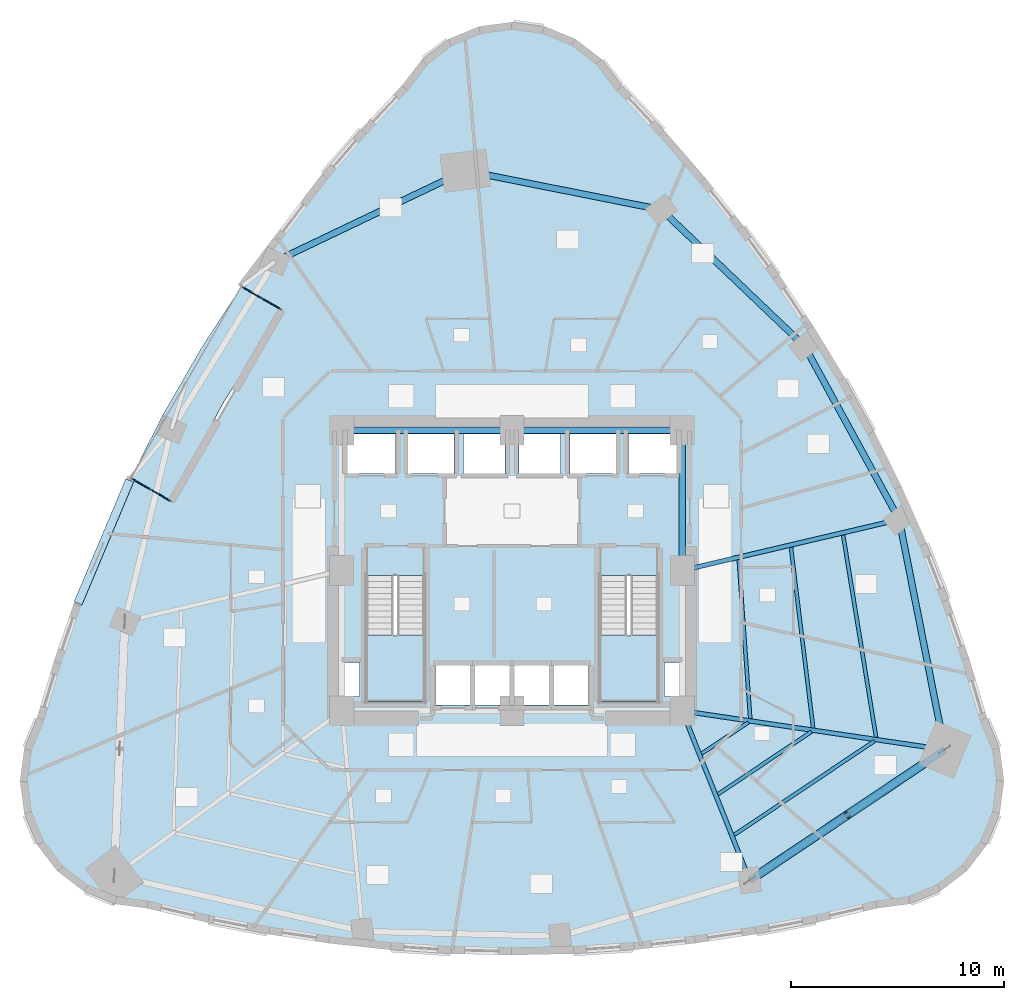
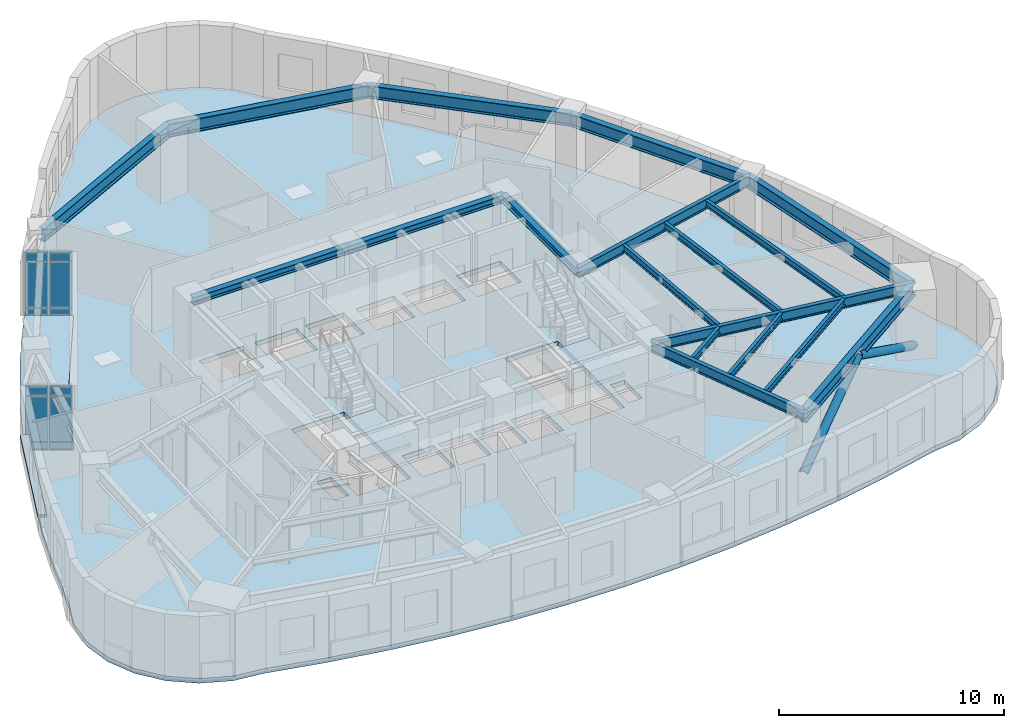
# One storey, part 4 of 13: 18 beams, 13 plates, 4 slabs, 2 members, 4 elements without a shape of their own.
"""IFC4 building model written with IfcOpenShell, lengths in metres."""

import ifcopenshell
import ifcopenshell.guid

model = None  # the IFC model being written
_history = None  # IfcOwnerHistory: only IFC2X3 demands one
_inside = {}  # id of a spatial element -> (the spatial element, [elements in it])
_under = {}  # id of a project, library or spatial element -> (it, [spatial elements below it])
_declared = {}  # id of a project -> (the project, [libraries it declares])
_typed = {}  # id of a type object -> (the type object, [elements of that type])
_made_of = {}  # id of a material, layer set ... -> (it, [elements and type objects made of it])


def new_model(schema):
    """Start an empty IFC model of exactly this schema.

    Asked for "IFC4X3", IfcOpenShell would pick the latest addendum, in which some entities
    have other attributes; the version numbers below select the first issue.
    IFC2X3 requires an IfcOwnerHistory on every rooted entity: one is made here for all.
    """
    global model, _history
    if schema == "IFC4X3":
        model = ifcopenshell.file(schema_version=(4, 3, 0, 0))
    else:
        model = ifcopenshell.file(schema=schema)
    _inside.clear()
    _under.clear()
    _declared.clear()
    _typed.clear()
    _made_of.clear()
    _history = None
    if model.schema == "IFC2X3":
        org = make("IfcOrganization", Name="unknown")
        user = make(
            "IfcPersonAndOrganization",
            ThePerson=make("IfcPerson", FamilyName="unknown"),
            TheOrganization=org,
        )
        app = make(
            "IfcApplication",
            ApplicationDeveloper=org,
            Version="unknown",
            ApplicationFullName="unknown",
            ApplicationIdentifier="unknown",
        )
        _history = make(
            "IfcOwnerHistory",
            OwningUser=user,
            OwningApplication=app,
            ChangeAction="ADDED",
            CreationDate=0,
        )
    return model


def make(cls, **values):
    """One entity of the class cls with the attributes given. An attribute that is None is left unset."""
    return model.create_entity(
        cls, **{name: value for name, value in values.items() if value is not None}
    )


def rooted(cls, **values):
    """An entity with a GlobalId (a new one), such as an element, a storey or a relation."""
    return make(cls, GlobalId=ifcopenshell.guid.new(), OwnerHistory=_history, **values)


def si_unit(unit_type, name, prefix=None):
    """IfcSIUnit, for example si_unit("LENGTHUNIT", "METRE", prefix="MILLI")."""
    return make("IfcSIUnit", UnitType=unit_type, Prefix=prefix, Name=name)


def assignment(units):
    """IfcUnitAssignment: the units of a project."""
    return None if units is None else make("IfcUnitAssignment", Units=units)


def point(xyz):
    """IfcCartesianPoint."""
    return None if xyz is None else make("IfcCartesianPoint", Coordinates=xyz)


def direction(xyz):
    """IfcDirection."""
    return None if xyz is None else make("IfcDirection", DirectionRatios=xyz)


def frame(location, z_axis=None, x_axis=None):
    """IfcAxis2Placement3D, a coordinate frame: its origin and axes. An axis left out is left unset."""
    return make(
        "IfcAxis2Placement3D",
        Location=point(location),
        Axis=direction(z_axis),
        RefDirection=direction(x_axis),
    )


def frame_2d(location, x_axis=None):
    """IfcAxis2Placement2D, a coordinate frame in the plane: its origin and x axis."""
    return make(
        "IfcAxis2Placement2D", Location=point(location), RefDirection=direction(x_axis)
    )


def origin():
    """The frame at (0, 0, 0) with its axes left unset."""
    return frame((0.0, 0.0, 0.0))


def origin_2d():
    """The frame at (0, 0) in the plane with its x axis left unset."""
    return frame_2d((0.0, 0.0))


def place(relative_to, where):
    """IfcLocalPlacement: puts the frame where relative to a parent placement (None: the world)."""
    return make(
        "IfcLocalPlacement", PlacementRelTo=relative_to, RelativePlacement=where
    )


def context(
    kind, dimensions, precision=None, world=None, true_north=None, identifier=None
):
    """IfcGeometricRepresentationContext, for example the 3D "Model" context."""
    return make(
        "IfcGeometricRepresentationContext",
        ContextIdentifier=identifier,
        ContextType=kind,
        CoordinateSpaceDimension=dimensions,
        Precision=precision,
        WorldCoordinateSystem=world,
        TrueNorth=true_north,
    )


def subcontext(parent, identifier, kind, view, scale=None):
    """IfcGeometricRepresentationSubContext, for example "Body" below "Model"."""
    return make(
        "IfcGeometricRepresentationSubContext",
        ContextIdentifier=identifier,
        ContextType=kind,
        ParentContext=parent,
        TargetScale=scale,
        TargetView=view,
    )


def project(units=None, contexts=None):
    """IfcProject with its units and contexts."""
    return rooted(
        "IfcProject",
        Name="project",
        RepresentationContexts=contexts,
        UnitsInContext=assignment(units),
    )


def spatial(cls, under=None, at=None, **own):
    """A site, building, storey or space (cls), placed at a placement, below another one or the project."""
    s = rooted(cls, ObjectPlacement=at, **own)
    if under is not None:
        _under.setdefault(under.id(), (under, []))[1].append(s)
    return s


def polyline(points):
    """IfcPolyline through the points."""
    return make("IfcPolyline", Points=[point(p) for p in points])


def profile(cls, at=None, kind="AREA", **sizes):
    """A parametric profile (cls). Its sizes go by their IFC names, for example OverallWidth=200.0."""
    return make(cls, ProfileType=kind, Position=at, **sizes)


def rectangle(**sizes):
    """IfcRectangleProfileDef."""
    return profile("IfcRectangleProfileDef", **sizes)


def hollow_circle(**sizes):
    """IfcCircleHollowProfileDef."""
    return profile("IfcCircleHollowProfileDef", **sizes)


def i_section(**sizes):
    """IfcIShapeProfileDef."""
    return profile("IfcIShapeProfileDef", **sizes)


def outline(outer, holes=None, kind="AREA"):
    """IfcArbitraryClosedProfileDef: a profile drawn as a closed curve; with holes, ...WithVoids."""
    if holes is None:
        return make("IfcArbitraryClosedProfileDef", ProfileType=kind, OuterCurve=outer)
    return make(
        "IfcArbitraryProfileDefWithVoids",
        ProfileType=kind,
        OuterCurve=outer,
        InnerCurves=holes,
    )


def extrude(swept, where, along, depth):
    """IfcExtrudedAreaSolid: the profile swept, set in the frame where, extruded along a direction by depth."""
    return make(
        "IfcExtrudedAreaSolid",
        SweptArea=swept,
        Position=where,
        ExtrudedDirection=direction(along),
        Depth=depth,
    )


def shape(context_of_items, identifier, shape_type, items):
    """IfcShapeRepresentation: the items that make up one representation, for example the "Body"."""
    return make(
        "IfcShapeRepresentation",
        ContextOfItems=context_of_items,
        RepresentationIdentifier=identifier,
        RepresentationType=shape_type,
        Items=items,
    )


def material(Name=None, Category=None):
    """IfcMaterial."""
    return make("IfcMaterial", Name=Name, Category=Category)


def layer(
    of_material, thickness, ventilated=None, Name=None, Category=None, Priority=None
):
    """IfcMaterialLayer: one layer of a wall or slab, of a material (None: an air gap)."""
    return make(
        "IfcMaterialLayer",
        Material=of_material,
        LayerThickness=thickness,
        IsVentilated=ventilated,
        Name=Name,
        Category=Category,
        Priority=Priority,
    )


def layer_set(layers, Name=None):
    """IfcMaterialLayerSet."""
    return make("IfcMaterialLayerSet", MaterialLayers=layers, LayerSetName=Name)


def material_profile(
    of_material, cross_section, Name=None, Category=None, Priority=None
):
    """IfcMaterialProfile: a cross section and its material."""
    return make(
        "IfcMaterialProfile",
        Name=Name,
        Material=of_material,
        Profile=cross_section,
        Priority=Priority,
        Category=Category,
    )


def profile_set(profiles, Name=None, composite=None):
    """IfcMaterialProfileSet."""
    return make(
        "IfcMaterialProfileSet",
        Name=Name,
        MaterialProfiles=profiles,
        CompositeProfile=composite,
    )


def made_of(thing, what):
    """Note that an element or type object is made of a material, layer set ...; save() writes the relation."""
    if what is not None:
        _made_of.setdefault(what.id(), (what, []))[1].append(thing)
    return thing


def type_object(cls, material=None, **own):
    """A type object (cls), such as IfcWallType, which elements share."""
    return made_of(rooted(cls, **own), material)


def element(
    cls,
    number,
    at=None,
    inside=None,
    cuts=None,
    type_object=None,
    material=None,
    context=None,
    identifier="Body",
    shape_type=None,
    held_by="IfcProductDefinitionShape",
    body=None,
    shapes=None,
    **own,
):
    """One element of the class cls, such as IfcWall. Its Tag is "e" and its number.

    at: its placement. inside: the storey or other place that contains it. cuts: it is an
    opening in that element (IfcRelVoidsElement). A single representation is given by context,
    identifier, shape_type and body (its items); several are given by shapes. held_by: the class
    of the entity that holds the representations. save() writes the other relations.
    """
    e = rooted(cls, Tag="e%d" % number, ObjectPlacement=at, **own)
    if body is not None:
        shapes = [shape(context, identifier, shape_type, body)]
    if shapes is not None:
        e.Representation = make(held_by, Representations=shapes)
    if inside is not None:
        _inside.setdefault(inside.id(), (inside, []))[1].append(e)
    if cuts is not None:
        rooted(
            "IfcRelVoidsElement", RelatingBuildingElement=cuts, RelatedOpeningElement=e
        )
    if type_object is not None:
        _typed.setdefault(type_object.id(), (type_object, []))[1].append(e)
    return made_of(e, material)


def aggregate(whole, parts):
    """IfcRelAggregates: a whole, such as a stair, and the parts it consists of."""
    return rooted("IfcRelAggregates", RelatingObject=whole, RelatedObjects=parts)


def save(model, path):
    """Write the relations noted so far, then the file.

    IfcRelAggregates (storeys below a building ...), IfcRelContainedInSpatialStructure (elements
    in a storey), IfcRelDefinesByType, IfcRelAssociatesMaterial and IfcRelDeclares: one each for
    every whole, place, type object, material and project.
    """
    for whole, parts in _under.values():
        aggregate(whole, parts)
    for where, things in _inside.values():
        rooted(
            "IfcRelContainedInSpatialStructure",
            RelatedElements=things,
            RelatingStructure=where,
        )
    for kind, things in _typed.values():
        rooted("IfcRelDefinesByType", RelatedObjects=things, RelatingType=kind)
    for what, things in _made_of.values():
        rooted("IfcRelAssociatesMaterial", RelatedObjects=things, RelatingMaterial=what)
    for by, libraries in _declared.values():
        rooted("IfcRelDeclares", RelatingContext=by, RelatedDefinitions=libraries)
    model.write(path)


model = new_model("IFC4")

# Units and contexts
model_context = context("Model", 3, precision=1e-05, world=origin(), true_north=direction((0.0, 1.0)))
body_context = subcontext(model_context, "Body", "Model", "MODEL_VIEW")
ifc_project = project(units=[si_unit("LENGTHUNIT", "METRE"), si_unit("AREAUNIT", "SQUARE_METRE"), si_unit("VOLUMEUNIT", "CUBIC_METRE"), si_unit("PLANEANGLEUNIT", "RADIAN"), si_unit("MASSUNIT", "GRAM", prefix="KILO")], contexts=[model_context])

# Site, building, storey
site_placement = place(None, origin())
site = spatial("IfcSite", under=ifc_project, at=site_placement, CompositionType="ELEMENT")
building_placement = place(site_placement, origin())
building = spatial("IfcBuilding", under=site, at=building_placement, Name="Ndelora Gate Hotel", CompositionType="ELEMENT")
storey_placement = place(building_placement, frame((0.0, 0.0, 34.25)))
storey = spatial("IfcBuildingStorey", under=building, at=storey_placement, Name="L07", CompositionType="ELEMENT", Elevation=34.25)

# Beams
ifc_material_1 = material(Name="Steel S355", Category="steel")
ifc_material_profile_1 = material_profile(ifc_material_1, i_section(OverallWidth=0.300048828125, OverallDepth=0.39990234375, WebThickness=0.013427734375, FlangeThickness=0.02392578125, FilletRadius=0.027099609375, at=origin_2d()), Name="HEB 400")
ifc_profile_set_1 = profile_set([ifc_material_profile_1], Name="Steel S355")
beam_type_1 = type_object("IfcBeamType", Name="BM-CORE-400", PredefinedType="BEAM", material=ifc_profile_set_1)
for number, where, z_axis, x_axis, name in (
    (1, (-8.0, 6.60009765625, 3.300048828125), (1.0, 0.0, 0.0), (0.0, 1.0, 0.0), "L07 Core Tie Girder CC7-CC6"),
    (2, (0.0, 6.60009765625, 3.300048828125), (1.0, 0.0, 0.0), (0.0, 1.0, 0.0), "L07 Core Tie Girder CC6-CC5"),
):
    element("IfcBeam", number, at=place(storey_placement, frame(where, z_axis=z_axis, x_axis=x_axis)), inside=storey, type_object=beam_type_1, Name=name, PredefinedType="BEAM", context=body_context, shape_type="SweptSolid", body=[
        extrude(i_section(OverallWidth=0.300048828125, OverallDepth=0.39990234375, WebThickness=0.013427734375, FlangeThickness=0.02392578125, FilletRadius=0.027099609375, at=origin_2d()), origin(), (0.0, 0.0, 1.0), 8.0),
    ])
beam_1_placement = place(storey_placement, frame((8.0, 0.0, 3.300048828125), z_axis=(0.0, 1.0, 0.0), x_axis=(-1.0, 0.0, 0.0)))
element("IfcBeam", 3, at=beam_1_placement, inside=storey, type_object=beam_type_1, Name="L07 Core Tie Girder CC4-CC5", PredefinedType="BEAM", context=body_context, shape_type="SweptSolid", body=[
    extrude(i_section(OverallWidth=0.300048828125, OverallDepth=0.39990234375, WebThickness=0.013427734375, FlangeThickness=0.02392578125, FilletRadius=0.027099609375, at=origin_2d()), origin(), (0.0, 0.0, 1.0), 6.60009765625),
])
ifc_material_profile_2 = material_profile(ifc_material_1, i_section(OverallWidth=0.169921875, OverallDepth=0.360107421875, WebThickness=0.008056640625, FlangeThickness=0.0126953125, FilletRadius=0.01806640625, at=origin_2d()), Name="IPE 360")
ifc_profile_set_2 = profile_set([ifc_material_profile_2], Name="Steel S355")
beam_type_2 = type_object("IfcBeamType", Name="BM-JST-360", PredefinedType="JOIST", material=ifc_profile_set_2)
beam_2_placement = place(storey_placement, frame((8.922119140625, -8.608154296875, 3.320068359375), z_axis=(0.830952990267, 0.556342635402, 0.0), x_axis=(-0.556342635402, 0.830952990267, 0.0)))
element("IfcBeam", 4, at=beam_2_placement, inside=storey, type_object=beam_type_2, Name="L07 Secondary Composite Floor Joist IN-8", PredefinedType="JOIST", context=body_context, shape_type="SweptSolid", body=[
    extrude(i_section(OverallWidth=0.169921875, OverallDepth=0.360107421875, WebThickness=0.008056640625, FlangeThickness=0.0126953125, FilletRadius=0.01806640625, at=origin_2d()), origin(), (0.0, 0.0, 1.0), 2.6396484375),
])
beam_3_placement = place(storey_placement, frame((9.685302734375, -10.520751953125, 3.320068359375), z_axis=(0.83093347578, 0.556371781121, 0.0), x_axis=(-0.556371781121, 0.83093347578, 0.0)))
element("IfcBeam", 5, at=beam_3_placement, inside=storey, type_object=beam_type_2, Name="L07 Secondary Composite Floor Joist MID-8", PredefinedType="JOIST", context=body_context, shape_type="SweptSolid", body=[
    extrude(i_section(OverallWidth=0.169921875, OverallDepth=0.360107421875, WebThickness=0.008056640625, FlangeThickness=0.0126953125, FilletRadius=0.01806640625, at=origin_2d()), origin(), (0.0, 0.0, 1.0), 5.2880859375),
])
beam_4_placement = place(storey_placement, frame((10.448486328125, -12.433349609375, 3.320068359375), z_axis=(0.830936507521, 0.556367253231, 0.0), x_axis=(-0.556367253231, 0.830936507521, 0.0)))
element("IfcBeam", 6, at=beam_4_placement, inside=storey, type_object=beam_type_2, Name="L07 Secondary Composite Floor Joist OUT-8", PredefinedType="JOIST", context=body_context, shape_type="SweptSolid", body=[
    extrude(i_section(OverallWidth=0.169921875, OverallDepth=0.360107421875, WebThickness=0.008056640625, FlangeThickness=0.0126953125, FilletRadius=0.01806640625, at=origin_2d()), origin(), (0.0, 0.0, 1.0), 7.936767578125),
])
beam_5_placement = place(storey_placement, frame((11.20263671875, -6.9609375, 3.320068359375), z_axis=(-0.072176031603, 0.997391909162, 0.0), x_axis=(-0.997391909162, -0.072176031603, 0.0)))
element("IfcBeam", 7, at=beam_5_placement, inside=storey, type_object=beam_type_2, Name="L07 Secondary Composite Floor Joist IN-9", PredefinedType="JOIST", context=body_context, shape_type="SweptSolid", body=[
    extrude(i_section(OverallWidth=0.169921875, OverallDepth=0.360107421875, WebThickness=0.008056640625, FlangeThickness=0.0126953125, FilletRadius=0.01806640625, at=origin_2d()), origin(), (0.0, 0.0, 1.0), 7.489013671875),
])
beam_6_placement = place(storey_placement, frame((14.160888671875, -7.400390625, 3.320068359375), z_axis=(-0.122030984704, 0.992526291225, 0.0), x_axis=(-0.992526291225, -0.122030984704, 0.0)))
element("IfcBeam", 8, at=beam_6_placement, inside=storey, type_object=beam_type_2, Name="L07 Secondary Composite Floor Joist MID-9", PredefinedType="JOIST", context=body_context, shape_type="SweptSolid", body=[
    extrude(i_section(OverallWidth=0.169921875, OverallDepth=0.360107421875, WebThickness=0.008056640625, FlangeThickness=0.0126953125, FilletRadius=0.01806640625, at=origin_2d()), origin(), (0.0, 0.0, 1.0), 8.548828125),
])
beam_7_placement = place(storey_placement, frame((17.12060546875, -7.840087890625, 3.320068359375), z_axis=(-0.160901992796, 0.986970388975, 0.0), x_axis=(-0.986970388975, -0.160901992796, 0.0)))
element("IfcBeam", 9, at=beam_7_placement, inside=storey, type_object=beam_type_2, Name="L07 Secondary Composite Floor Joist OUT-9", PredefinedType="JOIST", context=body_context, shape_type="SweptSolid", body=[
    extrude(i_section(OverallWidth=0.169921875, OverallDepth=0.360107421875, WebThickness=0.008056640625, FlangeThickness=0.0126953125, FilletRadius=0.01806640625, at=origin_2d()), origin(), (0.0, 0.0, 1.0), 9.6259765625),
])
ifc_material_profile_3 = material_profile(ifc_material_1, i_section(OverallWidth=0.2099609375, OverallDepth=0.550048828125, WebThickness=0.010986328125, FlangeThickness=0.01708984375, FilletRadius=0.02392578125, at=origin_2d()), Name="IPE 550")
ifc_profile_set_3 = profile_set([ifc_material_profile_3], Name="Steel S355")
beam_type_3 = type_object("IfcBeamType", Name="BM-RAD-550", PredefinedType="BEAM", material=ifc_profile_set_3)
beam_8_placement = place(storey_placement, frame((8.0, -6.60009765625, 3.22509765625), z_axis=(0.37056142644, -0.92880796144, 0.0), x_axis=(0.92880796144, 0.37056142644, 0.0)))
element("IfcBeam", 10, at=beam_8_placement, inside=storey, type_object=beam_type_3, Name="L07 Radial Floor Girder 8", PredefinedType="BEAM", context=body_context, shape_type="SweptSolid", body=[
    extrude(i_section(OverallWidth=0.2099609375, OverallDepth=0.550048828125, WebThickness=0.010986328125, FlangeThickness=0.01708984375, FilletRadius=0.02392578125, at=origin_2d()), origin(), (0.0, 0.0, 1.0), 8.580078125),
])
beam_9_placement = place(storey_placement, frame((8.0, -6.60009765625, 3.22509765625), z_axis=(0.989209761041, -0.146506138649, 0.0), x_axis=(0.146506138649, 0.989209761041, 0.0)))
element("IfcBeam", 11, at=beam_9_placement, inside=storey, type_object=beam_type_3, Name="L07 Radial Floor Girder 9", PredefinedType="BEAM", context=body_context, shape_type="SweptSolid", body=[
    extrude(i_section(OverallWidth=0.2099609375, OverallDepth=0.550048828125, WebThickness=0.010986328125, FlangeThickness=0.01708984375, FilletRadius=0.02392578125, at=origin_2d()), origin(), (0.0, 0.0, 1.0), 12.48486328125),
])
beam_10_placement = place(storey_placement, frame((8.0, 0.0, 3.22509765625), z_axis=(0.973517848051, 0.22861102232, 0.0), x_axis=(-0.22861102232, 0.973517848051, 0.0)))
element("IfcBeam", 12, at=beam_10_placement, inside=storey, type_object=beam_type_3, Name="L07 Radial Floor Girder 10", PredefinedType="BEAM", context=body_context, shape_type="SweptSolid", body=[
    extrude(i_section(OverallWidth=0.2099609375, OverallDepth=0.550048828125, WebThickness=0.010986328125, FlangeThickness=0.01708984375, FilletRadius=0.02392578125, at=origin_2d()), origin(), (0.0, 0.0, 1.0), 10.48486328125),
])
ifc_material_profile_4 = material_profile(ifc_material_1, i_section(OverallWidth=0.300048828125, OverallDepth=0.699951171875, WebThickness=0.01708984375, FlangeThickness=0.031982421875, FilletRadius=0.027099609375, at=origin_2d()), Name="HEB 700")
ifc_profile_set_4 = profile_set([ifc_material_profile_4], Name="Steel S355")
beam_type_4 = type_object("IfcBeamType", Name="BM-RING-700", PredefinedType="SPANDREL", material=ifc_profile_set_4)
beam_11_placement = place(storey_placement, frame((-2.199951171875, 18.800048828125, 3.14990234375), z_axis=(-0.902476034566, -0.43074006899, 0.0), x_axis=(0.43074006899, -0.902476034566, 0.0)))
element("IfcBeam", 13, at=beam_11_placement, inside=storey, type_object=beam_type_4, Name="L07 Perimeter Spandrel Girder 1", PredefinedType="SPANDREL", context=body_context, shape_type="SweptSolid", body=[
    extrude(i_section(OverallWidth=0.300048828125, OverallDepth=0.699951171875, WebThickness=0.01708984375, FlangeThickness=0.031982421875, FilletRadius=0.027099609375, at=origin_2d()), origin(), (0.0, 0.0, 1.0), 9.91552734375),
])
beam_12_placement = place(storey_placement, frame((11.179443359375, -14.5693359375, 3.14990234375), z_axis=(0.830945983886, 0.556353099985, 0.0), x_axis=(-0.556353099985, 0.830945983886, 0.0)))
element("IfcBeam", 14, at=beam_12_placement, inside=storey, type_object=beam_type_4, Name="L07 Perimeter Spandrel Girder 8", PredefinedType="SPANDREL", context=body_context, shape_type="SweptSolid", body=[
    extrude(i_section(OverallWidth=0.300048828125, OverallDepth=0.699951171875, WebThickness=0.01708984375, FlangeThickness=0.031982421875, FilletRadius=0.027099609375, at=origin_2d()), origin(), (0.0, 0.0, 1.0), 11.036376953125),
])
beam_13_placement = place(storey_placement, frame((20.35009765625, -8.42919921875, 3.14990234375), z_axis=(-0.194163071691, 0.980969266385, 0.0), x_axis=(-0.980969266385, -0.194163071691, 0.0)))
element("IfcBeam", 15, at=beam_13_placement, inside=storey, type_object=beam_type_4, Name="L07 Perimeter Spandrel Girder 9", PredefinedType="SPANDREL", context=body_context, shape_type="SweptSolid", body=[
    extrude(i_section(OverallWidth=0.300048828125, OverallDepth=0.699951171875, WebThickness=0.01708984375, FlangeThickness=0.031982421875, FilletRadius=0.027099609375, at=origin_2d()), origin(), (0.0, 0.0, 1.0), 11.0361328125),
])
for number, where, z_axis, x_axis, name in (
    (16, (18.207275390625, 2.39697265625, 3.14990234375), (-0.479203651005, 0.87770374322, 0.0), (-0.87770374322, -0.479203651005, 0.0), "L07 Perimeter Spandrel Girder 10"),
    (17, (13.75390625, 10.5537109375, 3.14990234375), (-0.723784227769, 0.690026370244, 0.0), (-0.690026370244, -0.723784227769, 0.0), "L07 Perimeter Spandrel Girder 11"),
):
    element("IfcBeam", number, at=place(storey_placement, frame(where, z_axis=z_axis, x_axis=x_axis)), inside=storey, type_object=beam_type_4, Name=name, PredefinedType="SPANDREL", context=body_context, shape_type="SweptSolid", body=[
        extrude(i_section(OverallWidth=0.300048828125, OverallDepth=0.699951171875, WebThickness=0.01708984375, FlangeThickness=0.031982421875, FilletRadius=0.027099609375, at=origin_2d()), origin(), (0.0, 0.0, 1.0), 9.293212890625),
    ])
beam_14_placement = place(storey_placement, frame((7.027587890625, 16.96630859375, 3.14990234375), z_axis=(-0.980820478164, 0.194913287424, 0.0), x_axis=(-0.194913287424, -0.980820478164, 0.0)))
element("IfcBeam", 18, at=beam_14_placement, inside=storey, type_object=beam_type_4, Name="L07 Perimeter Spandrel Girder 12", PredefinedType="SPANDREL", context=body_context, shape_type="SweptSolid", body=[
    extrude(i_section(OverallWidth=0.300048828125, OverallDepth=0.699951171875, WebThickness=0.01708984375, FlangeThickness=0.031982421875, FilletRadius=0.027099609375, at=origin_2d()), origin(), (0.0, 0.0, 1.0), 9.407958984375),
])

# Members
ifc_material_profile_5 = material_profile(ifc_material_1, hollow_circle(Radius=0.202880859375, WallThickness=0.02001953125, at=origin_2d()), Name="CHS 406x20")
ifc_profile_set_5 = profile_set([ifc_material_profile_5], Name="Steel S355")
member_type = type_object("IfcMemberType", Name="MB-TUBE-406", PredefinedType="BRACE", material=ifc_profile_set_5)
for number, where, z_axis, x_axis, name in (
    (19, (11.179443359375, -14.5693359375, 0.02001953125), (0.73391932444, 0.491376610842, 0.468947173496), (-0.556342873424, 0.830952830906, 0.0), "L07 Perimeter Braced-Tube Diagonal 8A"),
    (20, (20.35009765625, -8.42919921875, 0.02001953125), (-0.733901295617, -0.491390702965, 0.468960622368), (0.556363326838, -0.830939136489, 0.0), "L07 Perimeter Braced-Tube Diagonal 8B"),
):
    element("IfcMember", number, at=place(storey_placement, frame(where, z_axis=z_axis, x_axis=x_axis)), inside=storey, type_object=member_type, Name=name, PredefinedType="BRACE", context=body_context, shape_type="SweptSolid", body=[
        extrude(hollow_circle(Radius=0.202880859375, WallThickness=0.02001953125, at=origin_2d()), origin(), (0.0, 0.0, 1.0), 6.247802734375),
    ])

# Curtain wall, plates
ifc_material_2 = material(Name="Bronze Anodised Unitised Aluminium and Low-E Glass", Category="aluminium")
ifc_layer_1 = layer(ifc_material_2, 0.199951171875)
ifc_layer_set_1 = layer_set([ifc_layer_1], Name="Bronze Anodised Unitised Aluminium and Low-E Glass")
curtain_wall_type = type_object("IfcCurtainWallType", Name="CW-SYS-3", PredefinedType="NOTDEFINED", material=ifc_layer_set_1)
curtain_wall_1_placement = place(storey_placement, origin())
curtain_wall_1 = element("IfcCurtainWall", 21, at=curtain_wall_1_placement, inside=storey, type_object=curtain_wall_type, Name="L07 Sky-Garden Loggia Side Curtain Wall CW3-1", PredefinedType="NOTDEFINED")
ifc_material_3 = material(Name="Solar-Control Low-E Insulated Glazing", Category="glass")
ifc_layer_2 = layer(ifc_material_3, 0.048095703125)
ifc_layer_set_2 = layer_set([ifc_layer_2], Name="Solar-Control Low-E Insulated Glazing")
plate_type_1 = type_object("IfcPlateType", Name="PL-CW-GLZ36", PredefinedType="CURTAIN_PANEL", material=ifc_layer_set_2)
plate_1_placement = place(storey_placement, frame((-11.315185546875, 12.537353515625, 0.05908203125), z_axis=(0.0, 0.0, 1.0), x_axis=(-0.866030416344, 0.499991317892, 0.0)))
plate_1 = element("IfcPlate", 22, at=plate_1_placement, type_object=plate_type_1, Name="CW3 panel 1.1", PredefinedType="CURTAIN_PANEL", context=body_context, shape_type="SweptSolid", body=[
    extrude(rectangle(XDim=1.014404296875, YDim=0.048095703125, at=origin_2d()), origin(), (0.0, 0.0, 1.0), 0.364501953125),
])
plate_2_placement = place(storey_placement, frame((-11.315185546875, 12.537353515625, 0.4765625), z_axis=(0.0, 0.0, 1.0), x_axis=(-0.866030416344, 0.499991317892, 0.0)))
plate_2 = element("IfcPlate", 23, at=plate_2_placement, type_object=plate_type_1, Name="CW3 panel 1.2", PredefinedType="CURTAIN_PANEL", context=body_context, shape_type="SweptSolid", body=[
    extrude(rectangle(XDim=1.014404296875, YDim=0.048095703125, at=origin_2d()), origin(), (0.0, 0.0, 1.0), 2.447021484375),
])
plate_3_placement = place(storey_placement, frame((-11.315185546875, 12.537353515625, 2.9765625), z_axis=(0.0, 0.0, 1.0), x_axis=(-0.866030416344, 0.499991317892, 0.0)))
plate_3 = element("IfcPlate", 24, at=plate_3_placement, type_object=plate_type_1, Name="CW3 panel 1.3", PredefinedType="CURTAIN_PANEL", context=body_context, shape_type="SweptSolid", body=[
    extrude(rectangle(XDim=1.014404296875, YDim=0.048095703125, at=origin_2d()), origin(), (0.0, 0.0, 1.0), 0.464599609375),
])
plate_4_placement = place(storey_placement, frame((-12.23974609375, 13.071044921875, 0.05908203125), z_axis=(0.0, 0.0, 1.0), x_axis=(-0.866030416344, 0.499991317892, 0.0)))
plate_4 = element("IfcPlate", 25, at=plate_4_placement, type_object=plate_type_1, Name="CW3 panel 2.1", PredefinedType="CURTAIN_PANEL", context=body_context, shape_type="SweptSolid", body=[
    extrude(rectangle(XDim=1.014404296875, YDim=0.048095703125, at=origin_2d()), origin(), (0.0, 0.0, 1.0), 0.364501953125),
])
plate_5_placement = place(storey_placement, frame((-12.23974609375, 13.071044921875, 0.4765625), z_axis=(0.0, 0.0, 1.0), x_axis=(-0.866030416344, 0.499991317892, 0.0)))
plate_5 = element("IfcPlate", 26, at=plate_5_placement, type_object=plate_type_1, Name="CW3 panel 2.2", PredefinedType="CURTAIN_PANEL", context=body_context, shape_type="SweptSolid", body=[
    extrude(rectangle(XDim=1.014404296875, YDim=0.048095703125, at=origin_2d()), origin(), (0.0, 0.0, 1.0), 2.447021484375),
])
plate_6_placement = place(storey_placement, frame((-12.23974609375, 13.071044921875, 2.9765625), z_axis=(0.0, 0.0, 1.0), x_axis=(-0.866030416344, 0.499991317892, 0.0)))
plate_6 = element("IfcPlate", 27, at=plate_6_placement, type_object=plate_type_1, Name="CW3 panel 2.3", PredefinedType="CURTAIN_PANEL", context=body_context, shape_type="SweptSolid", body=[
    extrude(rectangle(XDim=1.014404296875, YDim=0.048095703125, at=origin_2d()), origin(), (0.0, 0.0, 1.0), 0.464599609375),
])
aggregate(curtain_wall_1, [plate_1, plate_2, plate_3, plate_4, plate_5, plate_6])

curtain_wall_2_placement = place(storey_placement, origin())
curtain_wall_2 = element("IfcCurtainWall", 28, at=curtain_wall_2_placement, inside=storey, type_object=curtain_wall_type, Name="L07 Sky-Garden Loggia Side Curtain Wall CW3-2", PredefinedType="NOTDEFINED")
plate_7_placement = place(storey_placement, frame((-17.439697265625, 4.064453125, 0.05908203125), z_axis=(0.0, 0.0, 1.0), x_axis=(0.866030416344, -0.499991317892, 0.0)))
plate_7 = element("IfcPlate", 29, at=plate_7_placement, type_object=plate_type_1, Name="CW3 panel 1.1", PredefinedType="CURTAIN_PANEL", context=body_context, shape_type="SweptSolid", body=[
    extrude(rectangle(XDim=1.014404296875, YDim=0.048095703125, at=origin_2d()), origin(), (0.0, 0.0, 1.0), 0.364501953125),
])
plate_8_placement = place(storey_placement, frame((-17.439697265625, 4.064453125, 0.4765625), z_axis=(0.0, 0.0, 1.0), x_axis=(0.866030416344, -0.499991317892, 0.0)))
plate_8 = element("IfcPlate", 30, at=plate_8_placement, type_object=plate_type_1, Name="CW3 panel 1.2", PredefinedType="CURTAIN_PANEL", context=body_context, shape_type="SweptSolid", body=[
    extrude(rectangle(XDim=1.014404296875, YDim=0.048095703125, at=origin_2d()), origin(), (0.0, 0.0, 1.0), 2.447021484375),
])
plate_9_placement = place(storey_placement, frame((-17.439697265625, 4.064453125, 2.9765625), z_axis=(0.0, 0.0, 1.0), x_axis=(0.866030416344, -0.499991317892, 0.0)))
plate_9 = element("IfcPlate", 31, at=plate_9_placement, type_object=plate_type_1, Name="CW3 panel 1.3", PredefinedType="CURTAIN_PANEL", context=body_context, shape_type="SweptSolid", body=[
    extrude(rectangle(XDim=1.014404296875, YDim=0.048095703125, at=origin_2d()), origin(), (0.0, 0.0, 1.0), 0.464599609375),
])
plate_10_placement = place(storey_placement, frame((-16.515380859375, 3.53076171875, 0.05908203125), z_axis=(0.0, 0.0, 1.0), x_axis=(0.866030416344, -0.499991317892, 0.0)))
plate_10 = element("IfcPlate", 32, at=plate_10_placement, type_object=plate_type_1, Name="CW3 panel 2.1", PredefinedType="CURTAIN_PANEL", context=body_context, shape_type="SweptSolid", body=[
    extrude(rectangle(XDim=1.014404296875, YDim=0.048095703125, at=origin_2d()), origin(), (0.0, 0.0, 1.0), 0.364501953125),
])
plate_11_placement = place(storey_placement, frame((-16.515380859375, 3.53076171875, 0.4765625), z_axis=(0.0, 0.0, 1.0), x_axis=(0.866030416344, -0.499991317892, 0.0)))
plate_11 = element("IfcPlate", 33, at=plate_11_placement, type_object=plate_type_1, Name="CW3 panel 2.2", PredefinedType="CURTAIN_PANEL", context=body_context, shape_type="SweptSolid", body=[
    extrude(rectangle(XDim=1.014404296875, YDim=0.048095703125, at=origin_2d()), origin(), (0.0, 0.0, 1.0), 2.447021484375),
])
plate_12_placement = place(storey_placement, frame((-16.515380859375, 3.53076171875, 2.9765625), z_axis=(0.0, 0.0, 1.0), x_axis=(0.866030416344, -0.499991317892, 0.0)))
plate_12 = element("IfcPlate", 34, at=plate_12_placement, type_object=plate_type_1, Name="CW3 panel 2.3", PredefinedType="CURTAIN_PANEL", context=body_context, shape_type="SweptSolid", body=[
    extrude(rectangle(XDim=1.014404296875, YDim=0.048095703125, at=origin_2d()), origin(), (0.0, 0.0, 1.0), 0.464599609375),
])
aggregate(curtain_wall_2, [plate_7, plate_8, plate_9, plate_10, plate_11, plate_12])

# Plate
ifc_material_4 = material(Name="Precast concrete C40/50", Category="concrete")
ifc_layer_3 = layer(ifc_material_4, 0.125)
ifc_layer_set_3 = layer_set([ifc_layer_3], Name="Precast concrete C40/50")
plate_type_2 = type_object("IfcPlateType", Name="PL-SILL-120", PredefinedType="USERDEFINED", material=ifc_layer_set_3)
plate_13_placement = place(storey_placement, frame((-19.193359375, 1.344482421875, 0.78759765625), z_axis=(0.0, 0.0, 1.0), x_axis=(0.387676476022, 0.921795503319, 0.0)))
element("IfcPlate", 35, at=plate_13_placement, inside=storey, type_object=plate_type_2, Name="L07 Streamline Precast Ribbon Sill 16", ObjectType="RIBBON_SILL", PredefinedType="USERDEFINED", context=body_context, shape_type="SweptSolid", body=[
    extrude(rectangle(XDim=6.26611328125, YDim=0.39990234375, at=origin_2d()), origin(), (0.0, 0.0, 1.0), 0.125),
])

# Stair, slab
stair_type = type_object("IfcStairType", Name="STR-DOG-CORE", PredefinedType="HALF_TURN_STAIR", material=ifc_material_4)
stair_1_placement = place(storey_placement, origin())
stair_1 = element("IfcStair", 36, at=stair_1_placement, inside=storey, type_object=stair_type, Name="L07 Protected Core Exit Stair ST4", PredefinedType="HALF_TURN_STAIR")
ifc_layer_4 = layer(ifc_material_4, 0.219970703125)
ifc_layer_set_4 = layer_set([ifc_layer_4], Name="Precast concrete C40/50")
slab_type_1 = type_object("IfcSlabType", Name="SL-LAND-220", PredefinedType="LANDING", material=ifc_layer_set_4)
slab_1_placement = place(storey_placement, frame((0.0, 0.0, 1.675048828125)))
slab_1 = element("IfcSlab", 37, at=slab_1_placement, type_object=slab_type_1, Name="ST4 landing 1", PredefinedType="LANDING", context=body_context, shape_type="SweptSolid", body=[
    extrude(outline(polyline([(-6.85009765625, -3.030029296875), (-6.85009765625, -6.14990234375), (-4.1298828125, -6.14990234375), (-4.1298828125, -3.030029296875), (-6.85009765625, -3.030029296875)])), origin(), (0.0, 0.0, 1.0), 0.199951171875),
])
aggregate(stair_1, [slab_1])

stair_2_placement = place(storey_placement, origin())
stair_2 = element("IfcStair", 38, at=stair_2_placement, inside=storey, type_object=stair_type, Name="L07 Protected Core Exit Stair ST5", PredefinedType="HALF_TURN_STAIR")
slab_2_placement = place(storey_placement, frame((0.0, 0.0, 1.675048828125)))
slab_2 = element("IfcSlab", 39, at=slab_2_placement, type_object=slab_type_1, Name="ST5 landing 1", PredefinedType="LANDING", context=body_context, shape_type="SweptSolid", body=[
    extrude(outline(polyline([(4.1298828125, -3.030029296875), (4.1298828125, -6.14990234375), (6.85009765625, -6.14990234375), (6.85009765625, -3.030029296875), (4.1298828125, -3.030029296875)])), origin(), (0.0, 0.0, 1.0), 0.199951171875),
])
aggregate(stair_2, [slab_2])

# Slabs
ifc_layer_5 = layer(ifc_material_4, 0.239990234375)
ifc_layer_set_5 = layer_set([ifc_layer_5], Name="Precast concrete C40/50")
slab_type_2 = type_object("IfcSlabType", Name="SL-TER-240", PredefinedType="FLOOR", material=ifc_layer_set_5)
slab_3_placement = place(storey_placement, frame((0.0, 0.0, -0.239990234375)))
element("IfcSlab", 40, at=slab_3_placement, inside=storey, type_object=slab_type_2, Name="L07 Sky Garden Loggia Terrace Slab", PredefinedType="FLOOR", context=body_context, shape_type="SweptSolid", body=[
    extrude(outline(polyline([(-10.824951171875, 12.254150390625), (-12.730224609375, 13.354248046875), (-14.60107421875, 10.471435546875), (-16.368896484375, 7.4091796875), (-17.93017578125, 4.34765625), (-16.02490234375, 3.24755859375), (-13.60009765625, 7.85205078125), (-10.824951171875, 12.254150390625)])), origin(), (0.0, 0.0, 1.0), 0.239990234375),
])
ifc_material_5 = material(Name="Concrete C40/50", Category="concrete")
ifc_layer_6 = layer(ifc_material_5, 0.25)
ifc_layer_set_6 = layer_set([ifc_layer_6], Name="Concrete C40/50")
slab_type_3 = type_object("IfcSlabType", Name="SL-TWR-250", PredefinedType="FLOOR", material=ifc_layer_set_6)
slab_4_placement = place(storey_placement, frame((0.0, 0.0, -0.25)))
element("IfcSlab", 41, at=slab_4_placement, inside=storey, type_object=slab_type_3, Name="L07 Structural Floor Slab", PredefinedType="FLOOR", context=body_context, shape_type="SweptSolid", body=[
    extrude(outline(polyline([(5.02294921875, 22.7080078125), (4.101318359375, 23.9091796875), (2.89990234375, 24.830810546875), (1.501220703125, 25.41015625), (0.0, 25.60791015625), (-1.501220703125, 25.41015625), (-2.89990234375, 24.830810546875), (-4.101318359375, 23.9091796875), (-5.02294921875, 22.7080078125), (-6.956298828125, 20.65478515625), (-8.7919921875, 18.54541015625), (-12.730224609375, 13.354248046875), (-10.824951171875, 12.254150390625), (-13.60009765625, 7.85205078125), (-16.02490234375, 3.24755859375), (-17.93017578125, 4.34765625), (-20.456787109375, -1.65869140625), (-21.365478515625, -4.302978515625), (-22.177001953125, -7.00390625), (-22.756591796875, -8.40283203125), (-22.9541015625, -9.90380859375), (-22.756591796875, -11.405029296875), (-22.177001953125, -12.803955078125), (-21.25537109375, -14.005126953125), (-20.05419921875, -14.927001953125), (-18.6552734375, -15.50634765625), (-17.154052734375, -15.703857421875), (-14.295166015625, -16.376220703125), (-11.43603515625, -16.926025390625), (-8.5771484375, -17.35400390625), (-5.718017578125, -17.659423828125), (-2.85888671875, -17.8427734375), (0.0, -17.90380859375), (2.85888671875, -17.8427734375), (5.718017578125, -17.659423828125), (8.5771484375, -17.35400390625), (11.43603515625, -16.926025390625), (14.295166015625, -16.376220703125), (17.154052734375, -15.703857421875), (18.6552734375, -15.50634765625), (20.05419921875, -14.927001953125), (21.25537109375, -14.005126953125), (22.177001953125, -12.803955078125), (22.756591796875, -11.405029296875), (22.9541015625, -9.90380859375), (22.756591796875, -8.40283203125), (22.177001953125, -7.00390625), (21.32958984375, -4.19189453125), (20.37646484375, -1.44091796875), (19.3173828125, 1.2490234375), (18.152587890625, 3.877685546875), (16.8818359375, 6.4453125), (15.50537109375, 8.951904296875), (14.022705078125, 11.3974609375), (12.4345703125, 13.78173828125), (10.740478515625, 16.10498046875), (8.9404296875, 18.366943359375), (7.03466796875, 20.568115234375), (5.02294921875, 22.7080078125)]), holes=[polyline([(-6.85009765625, -0.22998046875), (-6.85009765625, -6.14990234375), (-4.1298828125, -6.14990234375), (-4.1298828125, -0.22998046875), (-6.85009765625, -0.22998046875)]), polyline([(4.1298828125, -0.22998046875), (4.1298828125, -6.14990234375), (6.85009765625, -6.14990234375), (6.85009765625, -0.22998046875), (4.1298828125, -0.22998046875)]), polyline([(-7.72998046875, 4.570068359375), (-5.469970703125, 4.570068359375), (-5.469970703125, 6.429931640625), (-7.72998046875, 6.429931640625), (-7.72998046875, 4.570068359375)]), polyline([(5.469970703125, 4.570068359375), (7.72998046875, 4.570068359375), (7.72998046875, 6.429931640625), (5.469970703125, 6.429931640625), (5.469970703125, 4.570068359375)]), polyline([(-4.8798828125, 4.570068359375), (-2.719970703125, 4.570068359375), (-2.719970703125, 6.429931640625), (-4.8798828125, 6.429931640625), (-4.8798828125, 4.570068359375)]), polyline([(2.719970703125, 4.570068359375), (4.8798828125, 4.570068359375), (4.8798828125, 6.429931640625), (2.719970703125, 6.429931640625), (2.719970703125, 4.570068359375)]), polyline([(-3.60009765625, -6.330078125), (-1.97998046875, -6.330078125), (-1.97998046875, -4.469970703125), (-3.60009765625, -4.469970703125), (-3.60009765625, -6.330078125)]), polyline([(-1.739990234375, -6.330078125), (-0.1201171875, -6.330078125), (-0.1201171875, -4.469970703125), (-1.739990234375, -4.469970703125), (-1.739990234375, -6.330078125)]), polyline([(0.1201171875, -6.330078125), (1.739990234375, -6.330078125), (1.739990234375, -4.469970703125), (0.1201171875, -4.469970703125), (0.1201171875, -6.330078125)]), polyline([(1.97998046875, -6.330078125), (3.60009765625, -6.330078125), (3.60009765625, -4.469970703125), (1.97998046875, -4.469970703125), (1.97998046875, -6.330078125)]), polyline([(-2.280029296875, 4.570068359375), (-0.320068359375, 4.570068359375), (-0.320068359375, 6.429931640625), (-2.280029296875, 6.429931640625), (-2.280029296875, 4.570068359375)]), polyline([(0.320068359375, 4.570068359375), (2.280029296875, 4.570068359375), (2.280029296875, 6.429931640625), (0.320068359375, 6.429931640625), (0.320068359375, 4.570068359375)]), polyline([(-7.89990234375, -5.919921875), (-7.179931640625, -5.919921875), (-7.179931640625, -4.320068359375), (-7.89990234375, -4.320068359375), (-7.89990234375, -5.919921875)]), polyline([(7.179931640625, -5.919921875), (7.89990234375, -5.919921875), (7.89990234375, -4.320068359375), (7.179931640625, -4.320068359375), (7.179931640625, -5.919921875)])]), origin(), (0.0, 0.0, 1.0), 0.25),
])

save(model, "model.ifc")
